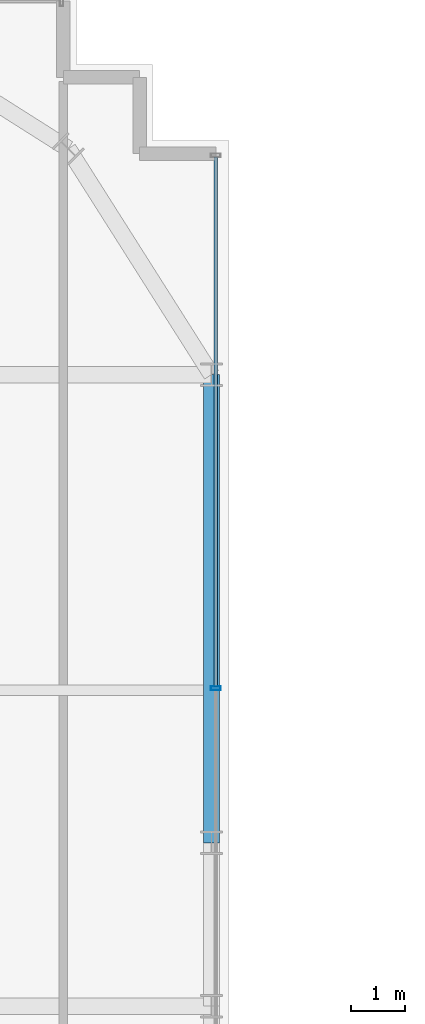
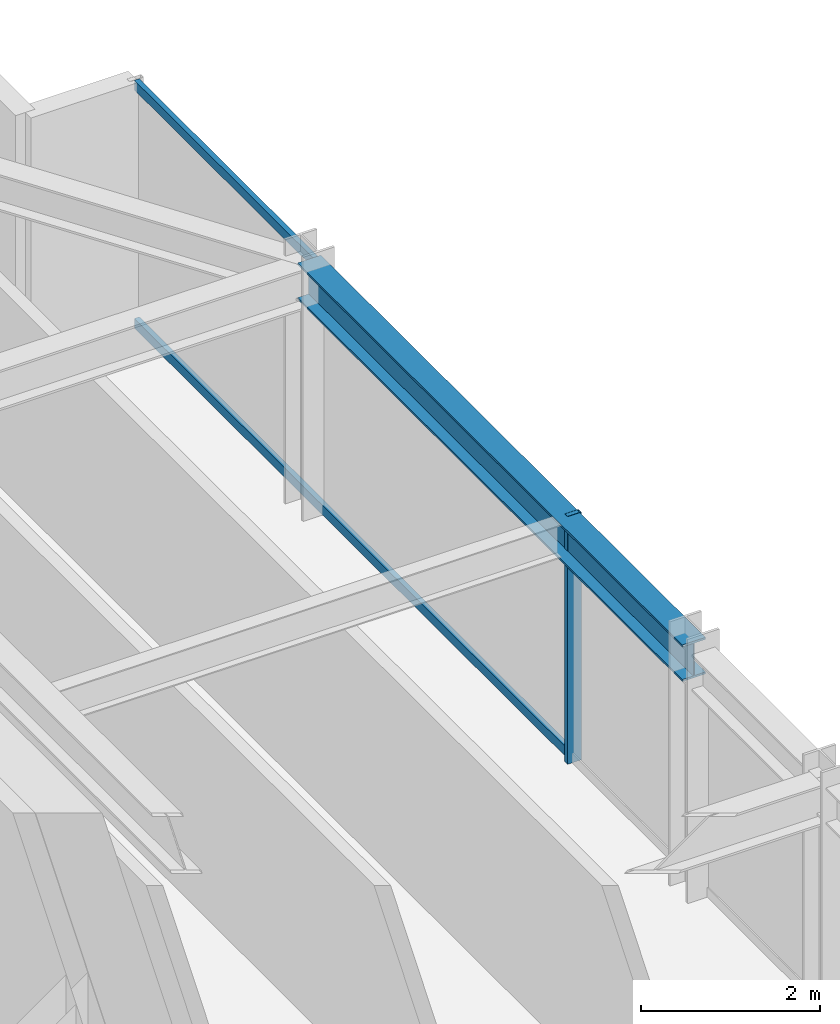
# One storey, part 23 of 34: 3 members, 1 beam, 1 element without a shape of its own.
"""IFC4 building model written with IfcOpenShell, lengths in metres."""

from ifc_helpers import new_model, si_unit, direction, frame, origin, origin_2d, place, context, subcontext, project, spatial, hollow_rectangle, i_section, extrude, source, transform, mapped, material, material_profile, profile_set, type_object, element, aggregate, save


model = new_model("IFC4")

# Units and contexts
model_context = context("Model", 3, precision=1e-05, world=origin(), true_north=direction((0.0, 1.0)))
body_context = subcontext(model_context, "Body", "Model", "MODEL_VIEW")
ifc_project = project(units=[si_unit("LENGTHUNIT", "METRE"), si_unit("AREAUNIT", "SQUARE_METRE"), si_unit("VOLUMEUNIT", "CUBIC_METRE"), si_unit("PLANEANGLEUNIT", "RADIAN"), si_unit("MASSUNIT", "GRAM", prefix="KILO")], contexts=[model_context])

# Site, building, storey
site_placement = place(None, origin())
site = spatial("IfcSite", under=ifc_project, at=site_placement, CompositionType="ELEMENT")
building_placement = place(site_placement, origin())
building = spatial("IfcBuilding", under=site, at=building_placement, Name="Nahalor Promenade Grand Hotel", CompositionType="ELEMENT")
storey_placement = place(building_placement, frame((0.0, 0.0, 128.449951171875)))
storey = spatial("IfcBuildingStorey", under=building, at=storey_placement, Name="L32", CompositionType="ELEMENT", Elevation=128.449951171875)

# Beam
ifc_material_1 = material(Name="Steel S355JR", Category="steel")
ifc_material_profile_1 = material_profile(ifc_material_1, i_section(OverallWidth=0.3, OverallDepth=0.5, WebThickness=0.0145, FlangeThickness=0.028, at=origin_2d()), Name="HEB 500")
ifc_profile_set_1 = profile_set([ifc_material_profile_1], Name="Steel S355JR")
beam_type = type_object("IfcBeamType", Name="Beam-Spandrel-HEB500", PredefinedType="SPANDREL", material=ifc_profile_set_1)
shared_shape_1 = source(origin(), body_context, "Body", "SweptSolid", [
    extrude(i_section(OverallWidth=0.3, OverallDepth=0.5, WebThickness=0.0145, FlangeThickness=0.028, at=origin_2d()), origin(), (0.0, 0.0, 1.0), 8.60009765625),
])
beam_placement = place(storey_placement, frame((23.780029296875, 8.39990234375, 3.130126953125), z_axis=(0.0, 1.0, 0.0), x_axis=(-1.0, 0.0, 0.0)))
element("IfcBeam", 1, at=beam_placement, inside=storey, type_object=beam_type, Name="BM-L32-SP-E-4", PredefinedType="SPANDREL", context=body_context, shape_type="MappedRepresentation", body=[
    mapped(shared_shape_1, transform((0.0, 0.0, 0.0), scale=1.0)),
])

# Curtain wall, members
ifc_material_2 = material(Name="Anodised Bronze Aluminium EN AW-6063 T6", Category="aluminium")
curtain_wall_type = type_object("IfcCurtainWallType", Name="CW2 Typical Hotel Flush Bronze Unitised Curtain Wall", PredefinedType="USERDEFINED", material=ifc_material_2)
curtain_wall_placement = place(storey_placement, origin())
curtain_wall = element("IfcCurtainWall", 2, at=curtain_wall_placement, inside=storey, type_object=curtain_wall_type, Name="L32 Curtain Wall CW-L32-E-3", ObjectType="UNITISED_CURTAIN_WALL", PredefinedType="USERDEFINED")
ifc_material_profile_2 = material_profile(ifc_material_2, hollow_rectangle(XDim=0.065, YDim=0.13, WallThickness=0.004, at=origin_2d()), Name="CWT 65x130x4")
ifc_profile_set_2 = profile_set([ifc_material_profile_2], Name="Anodised Bronze Aluminium EN AW-6063 T6")
member_type_1 = type_object("IfcMemberType", Name="CWT2 Typical Bronze Transom 65x130", PredefinedType="USERDEFINED", material=ifc_profile_set_2)
shared_shape_2 = source(origin(), body_context, "Body", "SweptSolid", [
    extrude(hollow_rectangle(XDim=0.065, YDim=0.13, WallThickness=0.004, at=origin_2d()), origin(), (0.0, 0.0, 1.0), 9.72265625),
])
member_1_placement = place(storey_placement, frame((23.860107421875, 11.2724609375, 0.06494140625), z_axis=(0.0, 1.0, 0.0), x_axis=(-1.0, 0.0, 0.0)))
member_1 = element("IfcMember", 3, at=member_1_placement, type_object=member_type_1, Name="CW-L32-E-3 Transom 2-0", ObjectType="TRANSOM", PredefinedType="USERDEFINED", context=body_context, shape_type="MappedRepresentation", body=[
    mapped(shared_shape_2, transform((0.0, 0.0, 0.0), scale=1.0)),
])
member_2_placement = place(storey_placement, frame((23.860107421875, 11.2724609375, 3.31494140625), z_axis=(0.0, 1.0, 0.0), x_axis=(-1.0, 0.0, 0.0)))
member_2 = element("IfcMember", 4, at=member_2_placement, type_object=member_type_1, Name="CW-L32-E-3 Transom 2-1", ObjectType="TRANSOM", PredefinedType="USERDEFINED", context=body_context, shape_type="MappedRepresentation", body=[
    mapped(shared_shape_2, transform((0.0, 0.0, 0.0), scale=1.0)),
])
ifc_material_profile_3 = material_profile(ifc_material_2, hollow_rectangle(XDim=0.065, YDim=0.18, WallThickness=0.004, at=origin_2d()), Name="CWM 65x180x4")
ifc_profile_set_3 = profile_set([ifc_material_profile_3], Name="Anodised Bronze Aluminium EN AW-6063 T6")
member_type_2 = type_object("IfcMemberType", Name="CWM2 Typical Bronze Mullion 65x180", PredefinedType="MULLION", material=ifc_profile_set_3)
shared_shape_3 = source(origin(), body_context, "Body", "SweptSolid", [
    extrude(hollow_rectangle(XDim=0.065, YDim=0.18, WallThickness=0.004, at=origin_2d()), origin(), (0.0, 0.0, 1.0), 3.380126953125),
])
member_3_placement = place(storey_placement, frame((23.860107421875, 11.239990234375, 0.0), z_axis=(0.0, 0.0, 1.0), x_axis=(0.0, 1.0, 0.0)))
member_3 = element("IfcMember", 5, at=member_3_placement, type_object=member_type_2, Name="CW-L32-E-3 Mullion 2", PredefinedType="MULLION", context=body_context, shape_type="MappedRepresentation", body=[
    mapped(shared_shape_3, transform((0.0, 0.0, 0.0), scale=1.0)),
])
aggregate(curtain_wall, [member_3, member_1, member_2])

save(model, "model.ifc")
